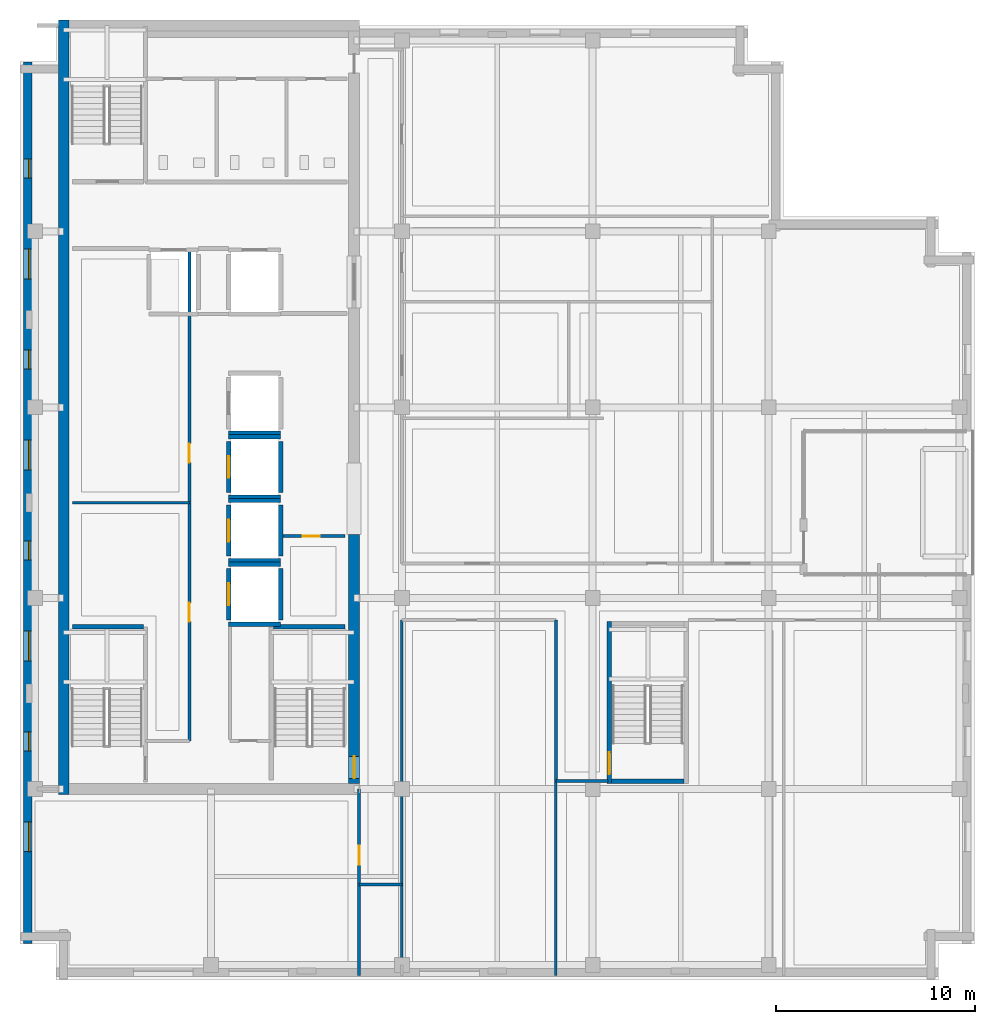
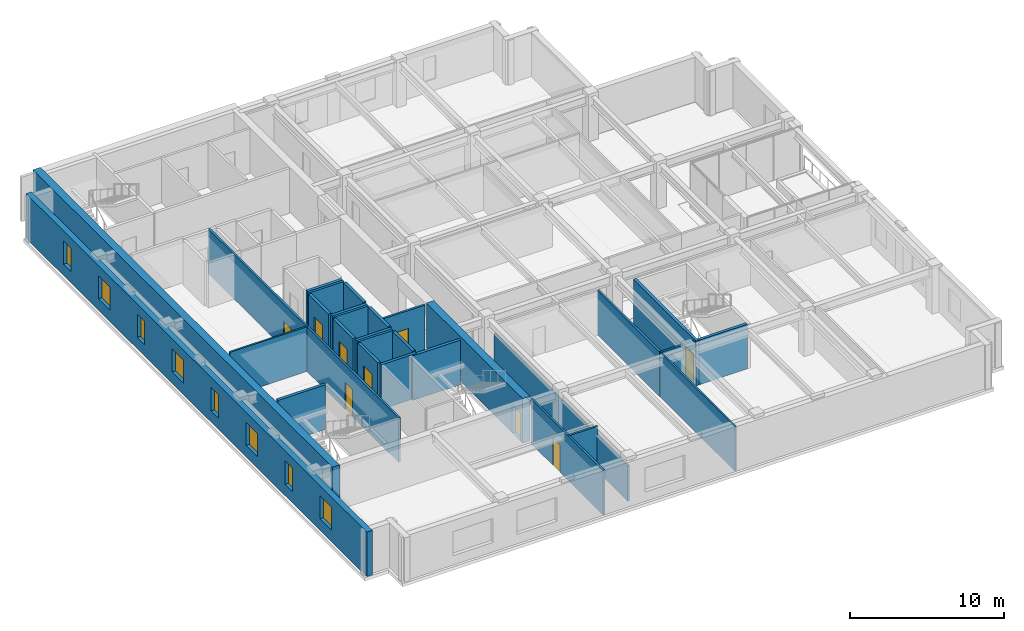
# One storey, part 3 of 13: 29 walls, 9 doors, 8 windows, 17 openings.
"""IFC4 building model written with IfcOpenShell, lengths in metres."""

import ifcopenshell
import ifcopenshell.guid

model = None  # the IFC model being written
_history = None  # IfcOwnerHistory: only IFC2X3 demands one
_inside = {}  # id of a spatial element -> (the spatial element, [elements in it])
_under = {}  # id of a project, library or spatial element -> (it, [spatial elements below it])
_declared = {}  # id of a project -> (the project, [libraries it declares])
_typed = {}  # id of a type object -> (the type object, [elements of that type])
_made_of = {}  # id of a material, layer set ... -> (it, [elements and type objects made of it])


def new_model(schema):
    """Start an empty IFC model of exactly this schema.

    Asked for "IFC4X3", IfcOpenShell would pick the latest addendum, in which some entities
    have other attributes; the version numbers below select the first issue.
    IFC2X3 requires an IfcOwnerHistory on every rooted entity: one is made here for all.
    """
    global model, _history
    if schema == "IFC4X3":
        model = ifcopenshell.file(schema_version=(4, 3, 0, 0))
    else:
        model = ifcopenshell.file(schema=schema)
    _inside.clear()
    _under.clear()
    _declared.clear()
    _typed.clear()
    _made_of.clear()
    _history = None
    if model.schema == "IFC2X3":
        org = make("IfcOrganization", Name="unknown")
        user = make(
            "IfcPersonAndOrganization",
            ThePerson=make("IfcPerson", FamilyName="unknown"),
            TheOrganization=org,
        )
        app = make(
            "IfcApplication",
            ApplicationDeveloper=org,
            Version="unknown",
            ApplicationFullName="unknown",
            ApplicationIdentifier="unknown",
        )
        _history = make(
            "IfcOwnerHistory",
            OwningUser=user,
            OwningApplication=app,
            ChangeAction="ADDED",
            CreationDate=0,
        )
    return model


def make(cls, **values):
    """One entity of the class cls with the attributes given. An attribute that is None is left unset."""
    return model.create_entity(
        cls, **{name: value for name, value in values.items() if value is not None}
    )


def rooted(cls, **values):
    """An entity with a GlobalId (a new one), such as an element, a storey or a relation."""
    return make(cls, GlobalId=ifcopenshell.guid.new(), OwnerHistory=_history, **values)


def si_unit(unit_type, name, prefix=None):
    """IfcSIUnit, for example si_unit("LENGTHUNIT", "METRE", prefix="MILLI")."""
    return make("IfcSIUnit", UnitType=unit_type, Prefix=prefix, Name=name)


def assignment(units):
    """IfcUnitAssignment: the units of a project."""
    return None if units is None else make("IfcUnitAssignment", Units=units)


def point(xyz):
    """IfcCartesianPoint."""
    return None if xyz is None else make("IfcCartesianPoint", Coordinates=xyz)


def direction(xyz):
    """IfcDirection."""
    return None if xyz is None else make("IfcDirection", DirectionRatios=xyz)


def frame(location, z_axis=None, x_axis=None):
    """IfcAxis2Placement3D, a coordinate frame: its origin and axes. An axis left out is left unset."""
    return make(
        "IfcAxis2Placement3D",
        Location=point(location),
        Axis=direction(z_axis),
        RefDirection=direction(x_axis),
    )


def frame_2d(location, x_axis=None):
    """IfcAxis2Placement2D, a coordinate frame in the plane: its origin and x axis."""
    return make(
        "IfcAxis2Placement2D", Location=point(location), RefDirection=direction(x_axis)
    )


def origin():
    """The frame at (0, 0, 0) with its axes left unset."""
    return frame((0.0, 0.0, 0.0))


def place(relative_to, where):
    """IfcLocalPlacement: puts the frame where relative to a parent placement (None: the world)."""
    return make(
        "IfcLocalPlacement", PlacementRelTo=relative_to, RelativePlacement=where
    )


def context(
    kind, dimensions, precision=None, world=None, true_north=None, identifier=None
):
    """IfcGeometricRepresentationContext, for example the 3D "Model" context."""
    return make(
        "IfcGeometricRepresentationContext",
        ContextIdentifier=identifier,
        ContextType=kind,
        CoordinateSpaceDimension=dimensions,
        Precision=precision,
        WorldCoordinateSystem=world,
        TrueNorth=true_north,
    )


def subcontext(parent, identifier, kind, view, scale=None):
    """IfcGeometricRepresentationSubContext, for example "Body" below "Model"."""
    return make(
        "IfcGeometricRepresentationSubContext",
        ContextIdentifier=identifier,
        ContextType=kind,
        ParentContext=parent,
        TargetScale=scale,
        TargetView=view,
    )


def project(units=None, contexts=None):
    """IfcProject with its units and contexts."""
    return rooted(
        "IfcProject",
        Name="project",
        RepresentationContexts=contexts,
        UnitsInContext=assignment(units),
    )


def spatial(cls, under=None, at=None, **own):
    """A site, building, storey or space (cls), placed at a placement, below another one or the project."""
    s = rooted(cls, ObjectPlacement=at, **own)
    if under is not None:
        _under.setdefault(under.id(), (under, []))[1].append(s)
    return s


def profile(cls, at=None, kind="AREA", **sizes):
    """A parametric profile (cls). Its sizes go by their IFC names, for example OverallWidth=200.0."""
    return make(cls, ProfileType=kind, Position=at, **sizes)


def rectangle(**sizes):
    """IfcRectangleProfileDef."""
    return profile("IfcRectangleProfileDef", **sizes)


def extrude(swept, where, along, depth):
    """IfcExtrudedAreaSolid: the profile swept, set in the frame where, extruded along a direction by depth."""
    return make(
        "IfcExtrudedAreaSolid",
        SweptArea=swept,
        Position=where,
        ExtrudedDirection=direction(along),
        Depth=depth,
    )


def shape(context_of_items, identifier, shape_type, items):
    """IfcShapeRepresentation: the items that make up one representation, for example the "Body"."""
    return make(
        "IfcShapeRepresentation",
        ContextOfItems=context_of_items,
        RepresentationIdentifier=identifier,
        RepresentationType=shape_type,
        Items=items,
    )


def material(Name=None, Category=None):
    """IfcMaterial."""
    return make("IfcMaterial", Name=Name, Category=Category)


def layer(
    of_material, thickness, ventilated=None, Name=None, Category=None, Priority=None
):
    """IfcMaterialLayer: one layer of a wall or slab, of a material (None: an air gap)."""
    return make(
        "IfcMaterialLayer",
        Material=of_material,
        LayerThickness=thickness,
        IsVentilated=ventilated,
        Name=Name,
        Category=Category,
        Priority=Priority,
    )


def layer_set(layers, Name=None):
    """IfcMaterialLayerSet."""
    return make("IfcMaterialLayerSet", MaterialLayers=layers, LayerSetName=Name)


def made_of(thing, what):
    """Note that an element or type object is made of a material, layer set ...; save() writes the relation."""
    if what is not None:
        _made_of.setdefault(what.id(), (what, []))[1].append(thing)
    return thing


def type_object(cls, material=None, **own):
    """A type object (cls), such as IfcWallType, which elements share."""
    return made_of(rooted(cls, **own), material)


def element(
    cls,
    number,
    at=None,
    inside=None,
    cuts=None,
    type_object=None,
    material=None,
    context=None,
    identifier="Body",
    shape_type=None,
    held_by="IfcProductDefinitionShape",
    body=None,
    shapes=None,
    **own,
):
    """One element of the class cls, such as IfcWall. Its Tag is "e" and its number.

    at: its placement. inside: the storey or other place that contains it. cuts: it is an
    opening in that element (IfcRelVoidsElement). A single representation is given by context,
    identifier, shape_type and body (its items); several are given by shapes. held_by: the class
    of the entity that holds the representations. save() writes the other relations.
    """
    e = rooted(cls, Tag="e%d" % number, ObjectPlacement=at, **own)
    if body is not None:
        shapes = [shape(context, identifier, shape_type, body)]
    if shapes is not None:
        e.Representation = make(held_by, Representations=shapes)
    if inside is not None:
        _inside.setdefault(inside.id(), (inside, []))[1].append(e)
    if cuts is not None:
        rooted(
            "IfcRelVoidsElement", RelatingBuildingElement=cuts, RelatedOpeningElement=e
        )
    if type_object is not None:
        _typed.setdefault(type_object.id(), (type_object, []))[1].append(e)
    return made_of(e, material)


def fill(opening, filler):
    """IfcRelFillsElement: the door or window that sits in an opening."""
    return rooted(
        "IfcRelFillsElement",
        RelatingOpeningElement=opening,
        RelatedBuildingElement=filler,
    )


def aggregate(whole, parts):
    """IfcRelAggregates: a whole, such as a stair, and the parts it consists of."""
    return rooted("IfcRelAggregates", RelatingObject=whole, RelatedObjects=parts)


def save(model, path):
    """Write the relations noted so far, then the file.

    IfcRelAggregates (storeys below a building ...), IfcRelContainedInSpatialStructure (elements
    in a storey), IfcRelDefinesByType, IfcRelAssociatesMaterial and IfcRelDeclares: one each for
    every whole, place, type object, material and project.
    """
    for whole, parts in _under.values():
        aggregate(whole, parts)
    for where, things in _inside.values():
        rooted(
            "IfcRelContainedInSpatialStructure",
            RelatedElements=things,
            RelatingStructure=where,
        )
    for kind, things in _typed.values():
        rooted("IfcRelDefinesByType", RelatedObjects=things, RelatingType=kind)
    for what, things in _made_of.values():
        rooted("IfcRelAssociatesMaterial", RelatedObjects=things, RelatingMaterial=what)
    for by, libraries in _declared.values():
        rooted("IfcRelDeclares", RelatingContext=by, RelatedDefinitions=libraries)
    model.write(path)


model = new_model("IFC4")

# Units and contexts
model_context = context("Model", 3, precision=1e-05, world=origin(), true_north=direction((0.0, 1.0)))
body_context = subcontext(model_context, "Body", "Model", "MODEL_VIEW")
ifc_project = project(units=[si_unit("LENGTHUNIT", "METRE"), si_unit("AREAUNIT", "SQUARE_METRE"), si_unit("VOLUMEUNIT", "CUBIC_METRE"), si_unit("PLANEANGLEUNIT", "RADIAN"), si_unit("MASSUNIT", "GRAM", prefix="KILO")], contexts=[model_context])

# Site, building, storey
site_placement = place(None, origin())
site = spatial("IfcSite", under=ifc_project, at=site_placement, CompositionType="ELEMENT")
building_placement = place(site_placement, origin())
building = spatial("IfcBuilding", under=site, at=building_placement, Name="Norrvale University Quadrangle", CompositionType="ELEMENT")
storey_placement = place(building_placement, frame((0.0, 0.0, 277.199951171875)))
storey = spatial("IfcBuildingStorey", under=building, at=storey_placement, Name="L70", CompositionType="ELEMENT", Elevation=277.199951171875)

# Wall, openings, windows
ifc_material_1 = material(Name="Buff Norman Clay Brick Masonry", Category="masonry")
ifc_layer_1 = layer(ifc_material_1, 0.419921875, Name="Buff Norman Clay Brick Masonry")
ifc_layer_set_1 = layer_set([ifc_layer_1], Name="Buff Norman Clay Brick Masonry")
wall_type_1 = type_object("IfcWallType", Name="Wall Buff Brick 420", PredefinedType="SOLIDWALL", material=ifc_layer_set_1)
wall_1_placement = place(storey_placement, frame((0.389892578125, 46.159912109375, 0.0), z_axis=(0.0, 0.0, 1.0), x_axis=(0.0, -1.0, 0.0)))
wall_1 = element("IfcWall", 1, at=wall_1_placement, inside=storey, type_object=wall_type_1, Name="Exterior Brick Facade Wall L70-14.1", PredefinedType="SOLIDWALL", context=body_context, shape_type="SweptSolid", body=[
    extrude(rectangle(XDim=44.31982421875, YDim=0.419921875, at=frame_2d((22.159912109375, 0.0))), origin(), (0.0, 0.0, 1.0), 3.5400390625),
])
opening_1_placement = place(wall_1_placement, frame((4.885009765625, 0.0, 0.89990234375)))
opening_1 = element("IfcOpeningElement", 2, at=opening_1_placement, cuts=wall_1, Name="Opening W04", PredefinedType="OPENING", context=body_context, shape_type="SweptSolid", body=[
    extrude(rectangle(XDim=0.949951171875, YDim=1.85009765625, at=frame_2d((0.47509765625, 0.925048828125))), frame((0.0, 0.221923828125, 0.0), z_axis=(0.0, -1.0, 0.0), x_axis=(1.0, 0.0, 0.0)), (0.0, 0.0, 1.0), 0.44384765625),
])
opening_2_placement = place(wall_1_placement, frame((9.409912109375, 0.0, 0.89990234375)))
opening_2 = element("IfcOpeningElement", 3, at=opening_2_placement, cuts=wall_1, Name="Opening W03", PredefinedType="OPENING", context=body_context, shape_type="SweptSolid", body=[
    extrude(rectangle(XDim=1.5, YDim=1.85009765625, at=frame_2d((0.75, 0.925048828125))), frame((0.0, 0.221923828125, 0.0), z_axis=(0.0, -1.0, 0.0), x_axis=(1.0, 0.0, 0.0)), (0.0, 0.0, 1.0), 0.44384765625),
])
opening_3_placement = place(wall_1_placement, frame((14.485107421875, 0.0, 0.89990234375)))
opening_3 = element("IfcOpeningElement", 4, at=opening_3_placement, cuts=wall_1, Name="Opening W04", PredefinedType="OPENING", context=body_context, shape_type="SweptSolid", body=[
    extrude(rectangle(XDim=0.949951171875, YDim=1.85009765625, at=frame_2d((0.47509765625, 0.925048828125))), frame((0.0, 0.221923828125, 0.0), z_axis=(0.0, -1.0, 0.0), x_axis=(1.0, 0.0, 0.0)), (0.0, 0.0, 1.0), 0.44384765625),
])
opening_4_placement = place(wall_1_placement, frame((19.010009765625, 0.0, 0.89990234375)))
opening_4 = element("IfcOpeningElement", 5, at=opening_4_placement, cuts=wall_1, Name="Opening W03", PredefinedType="OPENING", context=body_context, shape_type="SweptSolid", body=[
    extrude(rectangle(XDim=1.5, YDim=1.85009765625, at=frame_2d((0.75, 0.925048828125))), frame((0.0, 0.221923828125, 0.0), z_axis=(0.0, -1.0, 0.0), x_axis=(1.0, 0.0, 0.0)), (0.0, 0.0, 1.0), 0.44384765625),
])
opening_5_placement = place(wall_1_placement, frame((24.0849609375, 0.0, 0.89990234375)))
opening_5 = element("IfcOpeningElement", 6, at=opening_5_placement, cuts=wall_1, Name="Opening W04", PredefinedType="OPENING", context=body_context, shape_type="SweptSolid", body=[
    extrude(rectangle(XDim=0.949951171875, YDim=1.85009765625, at=frame_2d((0.47509765625, 0.925048828125))), frame((0.0, 0.221923828125, 0.0), z_axis=(0.0, -1.0, 0.0), x_axis=(1.0, 0.0, 0.0)), (0.0, 0.0, 1.0), 0.44384765625),
])
opening_6_placement = place(wall_1_placement, frame((28.610107421875, 0.0, 0.89990234375)))
opening_6 = element("IfcOpeningElement", 7, at=opening_6_placement, cuts=wall_1, Name="Opening W03", PredefinedType="OPENING", context=body_context, shape_type="SweptSolid", body=[
    extrude(rectangle(XDim=1.5, YDim=1.85009765625, at=frame_2d((0.75, 0.925048828125))), frame((0.0, 0.221923828125, 0.0), z_axis=(0.0, -1.0, 0.0), x_axis=(1.0, 0.0, 0.0)), (0.0, 0.0, 1.0), 0.44384765625),
])
opening_7_placement = place(wall_1_placement, frame((33.68505859375, 0.0, 0.89990234375)))
opening_7 = element("IfcOpeningElement", 8, at=opening_7_placement, cuts=wall_1, Name="Opening W04", PredefinedType="OPENING", context=body_context, shape_type="SweptSolid", body=[
    extrude(rectangle(XDim=0.949951171875, YDim=1.85009765625, at=frame_2d((0.47509765625, 0.925048828125))), frame((0.0, 0.221923828125, 0.0), z_axis=(0.0, -1.0, 0.0), x_axis=(1.0, 0.0, 0.0)), (0.0, 0.0, 1.0), 0.44384765625),
])
opening_8_placement = place(wall_1_placement, frame((38.2099609375, 0.0, 0.89990234375)))
opening_8 = element("IfcOpeningElement", 9, at=opening_8_placement, cuts=wall_1, Name="Opening W03", PredefinedType="OPENING", context=body_context, shape_type="SweptSolid", body=[
    extrude(rectangle(XDim=1.5, YDim=1.85009765625, at=frame_2d((0.75, 0.925048828125))), frame((0.0, 0.221923828125, 0.0), z_axis=(0.0, -1.0, 0.0), x_axis=(1.0, 0.0, 0.0)), (0.0, 0.0, 1.0), 0.44384765625),
])
ifc_material_2 = material(Name="Triple Low-E Argon Glazing", Category="glass")
window_type_1 = type_object("IfcWindowType", Name="Window Narrow Pier 950x2300", PartitioningType="SINGLE_PANEL", PredefinedType="WINDOW", material=ifc_material_2)
window_1_placement = place(opening_1_placement, origin())
window_1 = element("IfcWindow", 10, at=window_1_placement, inside=storey, type_object=window_type_1, Name="Window Narrow Pier 950x2300 WIN-L70-E14-1-01", OverallHeight=1.85009765625, OverallWidth=0.949951171875, PartitioningType="SINGLE_PANEL", PredefinedType="WINDOW", context=body_context, shape_type="SweptSolid", body=[
    extrude(rectangle(XDim=0.949951171875, YDim=1.85009765625, at=frame_2d((0.47509765625, 0.925048828125))), frame((0.0, 0.110107421875, 0.0), z_axis=(0.0, -1.0, 0.0), x_axis=(1.0, 0.0, 0.0)), (0.0, 0.0, 1.0), 0.06005859375),
])
fill(opening_1, window_1)
window_2_placement = place(opening_3_placement, origin())
window_2 = element("IfcWindow", 11, at=window_2_placement, inside=storey, type_object=window_type_1, Name="Window Narrow Pier 950x2300 WIN-L70-E14-1-03", OverallHeight=1.85009765625, OverallWidth=0.949951171875, PartitioningType="SINGLE_PANEL", PredefinedType="WINDOW", context=body_context, shape_type="SweptSolid", body=[
    extrude(rectangle(XDim=0.949951171875, YDim=1.85009765625, at=frame_2d((0.47509765625, 0.925048828125))), frame((0.0, 0.110107421875, 0.0), z_axis=(0.0, -1.0, 0.0), x_axis=(1.0, 0.0, 0.0)), (0.0, 0.0, 1.0), 0.06005859375),
])
fill(opening_3, window_2)
window_3_placement = place(opening_5_placement, origin())
window_3 = element("IfcWindow", 12, at=window_3_placement, inside=storey, type_object=window_type_1, Name="Window Narrow Pier 950x2300 WIN-L70-E14-1-05", OverallHeight=1.85009765625, OverallWidth=0.949951171875, PartitioningType="SINGLE_PANEL", PredefinedType="WINDOW", context=body_context, shape_type="SweptSolid", body=[
    extrude(rectangle(XDim=0.949951171875, YDim=1.85009765625, at=frame_2d((0.47509765625, 0.925048828125))), frame((0.0, 0.110107421875, 0.0), z_axis=(0.0, -1.0, 0.0), x_axis=(1.0, 0.0, 0.0)), (0.0, 0.0, 1.0), 0.06005859375),
])
fill(opening_5, window_3)
window_4_placement = place(opening_7_placement, origin())
window_4 = element("IfcWindow", 13, at=window_4_placement, inside=storey, type_object=window_type_1, Name="Window Narrow Pier 950x2300 WIN-L70-E14-1-07", OverallHeight=1.85009765625, OverallWidth=0.949951171875, PartitioningType="SINGLE_PANEL", PredefinedType="WINDOW", context=body_context, shape_type="SweptSolid", body=[
    extrude(rectangle(XDim=0.949951171875, YDim=1.85009765625, at=frame_2d((0.47509765625, 0.925048828125))), frame((0.0, 0.110107421875, 0.0), z_axis=(0.0, -1.0, 0.0), x_axis=(1.0, 0.0, 0.0)), (0.0, 0.0, 1.0), 0.06005859375),
])
fill(opening_7, window_4)
window_type_2 = type_object("IfcWindowType", Name="Window Studio 1500x2300", PartitioningType="DOUBLE_PANEL_VERTICAL", PredefinedType="WINDOW", material=ifc_material_2)
window_5_placement = place(opening_2_placement, origin())
window_5 = element("IfcWindow", 14, at=window_5_placement, inside=storey, type_object=window_type_2, Name="Window Studio 1500x2300 WIN-L70-E14-1-02", OverallHeight=1.85009765625, OverallWidth=1.5, PartitioningType="DOUBLE_PANEL_VERTICAL", PredefinedType="WINDOW", context=body_context, shape_type="SweptSolid", body=[
    extrude(rectangle(XDim=1.5, YDim=1.85009765625, at=frame_2d((0.75, 0.925048828125))), frame((0.0, 0.110107421875, 0.0), z_axis=(0.0, -1.0, 0.0), x_axis=(1.0, 0.0, 0.0)), (0.0, 0.0, 1.0), 0.06005859375),
])
fill(opening_2, window_5)
window_6_placement = place(opening_4_placement, origin())
window_6 = element("IfcWindow", 15, at=window_6_placement, inside=storey, type_object=window_type_2, Name="Window Studio 1500x2300 WIN-L70-E14-1-04", OverallHeight=1.85009765625, OverallWidth=1.5, PartitioningType="DOUBLE_PANEL_VERTICAL", PredefinedType="WINDOW", context=body_context, shape_type="SweptSolid", body=[
    extrude(rectangle(XDim=1.5, YDim=1.85009765625, at=frame_2d((0.75, 0.925048828125))), frame((0.0, 0.110107421875, 0.0), z_axis=(0.0, -1.0, 0.0), x_axis=(1.0, 0.0, 0.0)), (0.0, 0.0, 1.0), 0.06005859375),
])
fill(opening_4, window_6)
window_7_placement = place(opening_6_placement, origin())
window_7 = element("IfcWindow", 16, at=window_7_placement, inside=storey, type_object=window_type_2, Name="Window Studio 1500x2300 WIN-L70-E14-1-06", OverallHeight=1.85009765625, OverallWidth=1.5, PartitioningType="DOUBLE_PANEL_VERTICAL", PredefinedType="WINDOW", context=body_context, shape_type="SweptSolid", body=[
    extrude(rectangle(XDim=1.5, YDim=1.85009765625, at=frame_2d((0.75, 0.925048828125))), frame((0.0, 0.110107421875, 0.0), z_axis=(0.0, -1.0, 0.0), x_axis=(1.0, 0.0, 0.0)), (0.0, 0.0, 1.0), 0.06005859375),
])
fill(opening_6, window_7)
window_8_placement = place(opening_8_placement, origin())
window_8 = element("IfcWindow", 17, at=window_8_placement, inside=storey, type_object=window_type_2, Name="Window Studio 1500x2300 WIN-L70-E14-1-08", OverallHeight=1.85009765625, OverallWidth=1.5, PartitioningType="DOUBLE_PANEL_VERTICAL", PredefinedType="WINDOW", context=body_context, shape_type="SweptSolid", body=[
    extrude(rectangle(XDim=1.5, YDim=1.85009765625, at=frame_2d((0.75, 0.925048828125))), frame((0.0, 0.110107421875, 0.0), z_axis=(0.0, -1.0, 0.0), x_axis=(1.0, 0.0, 0.0)), (0.0, 0.0, 1.0), 0.06005859375),
])
fill(opening_8, window_8)

# Wall
ifc_material_3 = material(Name="Concrete C60/75", Category="concrete")
ifc_layer_2 = layer(ifc_material_3, 0.550048828125, Name="Concrete C60/75")
ifc_layer_set_2 = layer_set([ifc_layer_2], Name="Concrete C60/75")
wall_type_2 = type_object("IfcWallType", Name="Wall Core 550", PredefinedType="SHEAR", material=ifc_layer_set_2)
wall_2_placement = place(storey_placement, frame((2.199951171875, 9.324951171875, 0.0), z_axis=(0.0, 0.0, 1.0), x_axis=(0.0, 1.0, 0.0)))
element("IfcWall", 18, at=wall_2_placement, inside=storey, type_object=wall_type_2, Name="Tower Core Shear Wall L70-W", PredefinedType="SHEAR", context=body_context, shape_type="SweptSolid", body=[
    extrude(rectangle(XDim=38.949951171875, YDim=0.550048828125, at=frame_2d((19.47509765625, 0.0))), origin(), (0.0, 0.0, 1.0), 3.5400390625),
])

# Wall, opening, door
wall_3_placement = place(storey_placement, frame((16.800048828125, 9.875, 0.0), z_axis=(0.0, 0.0, 1.0), x_axis=(0.0, 1.0, 0.0)))
wall_3 = element("IfcWall", 19, at=wall_3_placement, inside=storey, type_object=wall_type_2, Name="Tower Core Shear Wall L70-E1", PredefinedType="SHEAR", context=body_context, shape_type="SweptSolid", body=[
    extrude(rectangle(XDim=12.52490234375, YDim=0.550048828125, at=frame_2d((6.262451171875, 0.0))), origin(), (0.0, 0.0, 1.0), 3.5400390625),
])
opening_9_placement = place(wall_3_placement, frame((0.264892578125, 0.0, 0.0)))
opening_9 = element("IfcOpeningElement", 20, at=opening_9_placement, cuts=wall_3, Name="Opening D02", PredefinedType="OPENING", context=body_context, shape_type="SweptSolid", body=[
    extrude(rectangle(XDim=1.10009765625, YDim=2.199951171875, at=frame_2d((0.550048828125, 1.10009765625))), frame((0.0, 0.287109375, 0.0), z_axis=(0.0, -1.0, 0.0), x_axis=(1.0, 0.0, 0.0)), (0.0, 0.0, 1.0), 0.573974609375),
])
ifc_material_4 = material(Name="Hollow Steel 350W Fire Door", Category="steel")
door_type_1 = type_object("IfcDoorType", Name="Door Stair Exit 1100x2200", OperationType="NOTDEFINED", PredefinedType="DOOR", material=ifc_material_4)
door_1_placement = place(opening_9_placement, origin())
door_1 = element("IfcDoor", 21, at=door_1_placement, inside=storey, type_object=door_type_1, Name="Door Stair Exit 1100x2200 DR-L70-ST03", OperationType="SINGLE_SWING_LEFT", OverallHeight=2.199951171875, OverallWidth=1.10009765625, PredefinedType="DOOR", context=body_context, shape_type="SweptSolid", body=[
    extrude(rectangle(XDim=1.10009765625, YDim=2.199951171875, at=frame_2d((0.550048828125, 1.10009765625))), frame((0.0, 0.02490234375, 0.0), z_axis=(0.0, -1.0, 0.0), x_axis=(1.0, 0.0, 0.0)), (0.0, 0.0, 1.0), 0.050048828125),
])
fill(opening_9, door_1)

# Walls
ifc_material_5 = material(Name="Standard Academic Gypsum Partition")
ifc_layer_3 = layer(ifc_material_5, 0.125, Name="Standard Academic Gypsum Partition")
ifc_layer_set_3 = layer_set([ifc_layer_3], Name="Standard Academic Gypsum Partition")
wall_type_3 = type_object("IfcWallType", Name="Wall Gypsum Academic 125", PredefinedType="PARTITIONING", material=ifc_layer_set_3)
wall_4_placement = place(storey_placement, frame((2.64990234375, 24.0, 0.0), z_axis=(0.0, 0.0, 1.0), x_axis=(1.0, 0.0, 0.0)))
element("IfcWall", 22, at=wall_4_placement, inside=storey, type_object=wall_type_3, Name="Interior Partition WL-L70-REC-M", PredefinedType="PARTITIONING", context=body_context, shape_type="SweptSolid", body=[
    extrude(rectangle(XDim=5.8701171875, YDim=0.125, at=frame_2d((2.93505859375, 0.0))), origin(), (0.0, 0.0, 1.0), 3.5400390625),
])
wall_5_placement = place(storey_placement, frame((19.199951171875, 0.75, 0.0), z_axis=(0.0, 0.0, 1.0), x_axis=(0.0, 1.0, 0.0)))
element("IfcWall", 23, at=wall_5_placement, inside=storey, type_object=wall_type_3, Name="Interior Partition WL-L70-SE-W0-B2", PredefinedType="PARTITIONING", context=body_context, shape_type="SweptSolid", body=[
    extrude(rectangle(XDim=17.35009765625, YDim=0.125, at=frame_2d((8.675048828125, 0.0))), origin(), (0.0, 0.0, 1.0), 2.844970703125),
])
wall_6_placement = place(storey_placement, frame((26.949951171875, 0.219970703125, 0.0), z_axis=(0.0, 0.0, 1.0), x_axis=(0.0, 1.0, 0.0)))
element("IfcWall", 24, at=wall_6_placement, inside=storey, type_object=wall_type_3, Name="Interior Partition WL-L70-SEP1A", PredefinedType="PARTITIONING", context=body_context, shape_type="SweptSolid", body=[
    extrude(rectangle(XDim=9.780029296875, YDim=0.125, at=frame_2d((4.89013671875, 0.0))), origin(), (0.0, 0.0, 1.0), 3.5400390625),
])

# Wall, opening, door
ifc_material_6 = material(Name="Fire-Rated Gypsum Stud Partition")
ifc_layer_4 = layer(ifc_material_6, 0.14990234375, Name="Fire-Rated Gypsum Stud Partition")
ifc_layer_set_4 = layer_set([ifc_layer_4], Name="Fire-Rated Gypsum Stud Partition")
wall_type_4 = type_object("IfcWallType", Name="Wall Gypsum Corridor 150", PredefinedType="PARTITIONING", material=ifc_layer_set_4)
wall_7_placement = place(storey_placement, frame((13.22509765625, 22.320068359375, 0.0), z_axis=(0.0, 0.0, 1.0), x_axis=(1.0, 0.0, 0.0)))
wall_7 = element("IfcWall", 25, at=wall_7_placement, inside=storey, type_object=wall_type_4, Name="Interior Partition WL-L70-JAN-N", PredefinedType="PARTITIONING", context=body_context, shape_type="SweptSolid", body=[
    extrude(rectangle(XDim=3.119873046875, YDim=0.14990234375, at=frame_2d((1.56005859375, 0.0))), origin(), (0.0, 0.0, 1.0), 3.5400390625),
])
opening_10_placement = place(wall_7_placement, frame((1.0, 0.0, 0.0)))
opening_10 = element("IfcOpeningElement", 26, at=opening_10_placement, cuts=wall_7, Name="Opening D10", PredefinedType="OPENING", context=body_context, shape_type="SweptSolid", body=[
    extrude(rectangle(XDim=0.85009765625, YDim=2.10009765625, at=frame_2d((0.425048828125, 1.050048828125))), frame((0.0, 0.0869140625, 0.0), z_axis=(0.0, -1.0, 0.0), x_axis=(1.0, 0.0, 0.0)), (0.0, 0.0, 1.0), 0.173828125),
])
ifc_material_7 = material(Name="Hollow Steel 350W Riser Fire Door", Category="steel")
door_type_2 = type_object("IfcDoorType", Name="Door Riser 850x2100", OperationType="NOTDEFINED", PredefinedType="DOOR", material=ifc_material_7)
door_2_placement = place(opening_10_placement, origin())
door_2 = element("IfcDoor", 27, at=door_2_placement, inside=storey, type_object=door_type_2, Name="Door Riser 850x2100 DR-L70-JAN", OperationType="SINGLE_SWING_LEFT", OverallHeight=2.10009765625, OverallWidth=0.85009765625, PredefinedType="DOOR", context=body_context, shape_type="SweptSolid", body=[
    extrude(rectangle(XDim=0.85009765625, YDim=2.10009765625, at=frame_2d((0.425048828125, 1.050048828125))), frame((0.0, 0.02490234375, 0.0), z_axis=(0.0, -1.0, 0.0), x_axis=(1.0, 0.0, 0.0)), (0.0, 0.0, 1.0), 0.050048828125),
])
fill(opening_10, door_2)

# Wall, openings, doors
wall_8_placement = place(storey_placement, frame((8.52001953125, 12.02001953125, 0.0), z_axis=(0.0, 0.0, 1.0), x_axis=(0.0, 1.0, 0.0)))
wall_8 = element("IfcWall", 28, at=wall_8_placement, inside=storey, type_object=wall_type_4, Name="Interior Partition WL-L70-REC-E", PredefinedType="PARTITIONING", context=body_context, shape_type="SweptSolid", body=[
    extrude(rectangle(XDim=24.760009765625, YDim=0.14990234375, at=frame_2d((12.3798828125, 0.0))), origin(), (0.0, 0.0, 1.0), 3.5400390625),
])
opening_11_placement = place(wall_8_placement, frame((6.0, 0.0, 0.0)))
opening_11 = element("IfcOpeningElement", 29, at=opening_11_placement, cuts=wall_8, Name="Opening D07", PredefinedType="OPENING", context=body_context, shape_type="SweptSolid", body=[
    extrude(rectangle(XDim=0.949951171875, YDim=2.14990234375, at=frame_2d((0.47509765625, 1.074951171875))), frame((0.0, 0.0869140625, 0.0), z_axis=(0.0, -1.0, 0.0), x_axis=(1.0, 0.0, 0.0)), (0.0, 0.0, 1.0), 0.173828125),
])
opening_12_placement = place(wall_8_placement, frame((14.0, 0.0, 0.0)))
opening_12 = element("IfcOpeningElement", 30, at=opening_12_placement, cuts=wall_8, Name="Opening D07", PredefinedType="OPENING", context=body_context, shape_type="SweptSolid", body=[
    extrude(rectangle(XDim=0.949951171875, YDim=2.14990234375, at=frame_2d((0.47509765625, 1.074951171875))), frame((0.0, 0.0869140625, 0.0), z_axis=(0.0, -1.0, 0.0), x_axis=(1.0, 0.0, 0.0)), (0.0, 0.0, 1.0), 0.173828125),
])
ifc_material_8 = material(Name="Solid-Core Maple Door", Category="wood")
door_type_3 = type_object("IfcDoorType", Name="Door Office 950x2150", OperationType="NOTDEFINED", PredefinedType="DOOR", material=ifc_material_8)
door_3_placement = place(opening_11_placement, origin())
door_3 = element("IfcDoor", 31, at=door_3_placement, inside=storey, type_object=door_type_3, Name="Door Office 950x2150 DR-L70-REC1", OperationType="SINGLE_SWING_LEFT", OverallHeight=2.14990234375, OverallWidth=0.949951171875, PredefinedType="DOOR", context=body_context, shape_type="SweptSolid", body=[
    extrude(rectangle(XDim=0.949951171875, YDim=2.14990234375, at=frame_2d((0.47509765625, 1.074951171875))), frame((0.0, 0.02490234375, 0.0), z_axis=(0.0, -1.0, 0.0), x_axis=(1.0, 0.0, 0.0)), (0.0, 0.0, 1.0), 0.050048828125),
])
fill(opening_11, door_3)
door_4_placement = place(opening_12_placement, origin())
door_4 = element("IfcDoor", 32, at=door_4_placement, inside=storey, type_object=door_type_3, Name="Door Office 950x2150 DR-L70-REC2", OperationType="SINGLE_SWING_RIGHT", OverallHeight=2.14990234375, OverallWidth=0.949951171875, PredefinedType="DOOR", context=body_context, shape_type="SweptSolid", body=[
    extrude(rectangle(XDim=0.949951171875, YDim=2.14990234375, at=frame_2d((0.47509765625, 1.074951171875))), frame((0.0, 0.02490234375, 0.0), z_axis=(0.0, -1.0, 0.0), x_axis=(1.0, 0.0, 0.0)), (0.0, 0.0, 1.0), 0.050048828125),
])
fill(opening_12, door_4)

# Wall
wall_9_placement = place(storey_placement, frame((17.050048828125, 4.800048828125, 0.0), z_axis=(0.0, 0.0, 1.0), x_axis=(1.0, 0.0, 0.0)))
element("IfcWall", 33, at=wall_9_placement, inside=storey, type_object=wall_type_4, Name="Interior Partition WL-L70-CSP-S", PredefinedType="PARTITIONING", context=body_context, shape_type="SweptSolid", body=[
    extrude(rectangle(XDim=2.14990234375, YDim=0.14990234375, at=frame_2d((1.074951171875, 0.0))), origin(), (0.0, 0.0, 1.0), 3.5400390625),
])

# Wall, opening, door
wall_10_placement = place(storey_placement, frame((17.050048828125, 0.219970703125, 0.0), z_axis=(0.0, 0.0, 1.0), x_axis=(0.0, 1.0, 0.0)))
wall_10 = element("IfcWall", 34, at=wall_10_placement, inside=storey, type_object=wall_type_4, Name="Interior Partition WL-L70-SW-E", PredefinedType="PARTITIONING", context=body_context, shape_type="SweptSolid", body=[
    extrude(rectangle(XDim=9.380126953125, YDim=0.14990234375, at=frame_2d((4.68994140625, 0.0))), origin(), (0.0, 0.0, 1.0), 3.5400390625),
])
opening_13_placement = place(wall_10_placement, frame((5.580078125, 0.0, 0.0)))
opening_13 = element("IfcOpeningElement", 35, at=opening_13_placement, cuts=wall_10, Name="Opening D07", PredefinedType="OPENING", context=body_context, shape_type="SweptSolid", body=[
    extrude(rectangle(XDim=0.949951171875, YDim=2.14990234375, at=frame_2d((0.47509765625, 1.074951171875))), frame((0.0, 0.0869140625, 0.0), z_axis=(0.0, -1.0, 0.0), x_axis=(1.0, 0.0, 0.0)), (0.0, 0.0, 1.0), 0.173828125),
])
door_5_placement = place(opening_13_placement, origin())
door_5 = element("IfcDoor", 36, at=door_5_placement, inside=storey, type_object=door_type_3, Name="Door Office 950x2150 DR-L70-SW1", OperationType="SINGLE_SWING_LEFT", OverallHeight=2.14990234375, OverallWidth=0.949951171875, PredefinedType="DOOR", context=body_context, shape_type="SweptSolid", body=[
    extrude(rectangle(XDim=0.949951171875, YDim=2.14990234375, at=frame_2d((0.47509765625, 1.074951171875))), frame((0.0, 0.02490234375, 0.0), z_axis=(0.0, -1.0, 0.0), x_axis=(1.0, 0.0, 0.0)), (0.0, 0.0, 1.0), 0.050048828125),
])
fill(opening_13, door_5)

# Walls
wall_11_placement = place(storey_placement, frame((26.949951171875, 10.0, 0.0), z_axis=(0.0, 0.0, 1.0), x_axis=(0.0, 1.0, 0.0)))
element("IfcWall", 37, at=wall_11_placement, inside=storey, type_object=wall_type_4, Name="Interior Partition WL-L70-SEP1B", PredefinedType="PARTITIONING", context=body_context, shape_type="SweptSolid", body=[
    extrude(rectangle(XDim=8.10009765625, YDim=0.14990234375, at=frame_2d((4.050048828125, 0.0))), origin(), (0.0, 0.0, 1.0), 3.5400390625),
])
wall_12_placement = place(storey_placement, frame((26.949951171875, 10.0, 0.0), z_axis=(0.0, 0.0, 1.0), x_axis=(1.0, 0.0, 0.0)))
element("IfcWall", 38, at=wall_12_placement, inside=storey, type_object=wall_type_4, Name="Interior Partition WL-L70-SEP1C", PredefinedType="PARTITIONING", context=body_context, shape_type="SweptSolid", body=[
    extrude(rectangle(XDim=2.630126953125, YDim=0.14990234375, at=frame_2d((1.31494140625, 0.0))), origin(), (0.0, 0.0, 1.0), 3.5400390625),
])
ifc_material_9 = material(Name="Concrete Blockwork 20 MPa Fire Shaft", Category="masonry")
ifc_layer_5 = layer(ifc_material_9, 0.219970703125, Name="Concrete Blockwork 20 MPa Fire Shaft")
ifc_layer_set_5 = layer_set([ifc_layer_5], Name="Concrete Blockwork 20 MPa Fire Shaft")
wall_type_5 = type_object("IfcWallType", Name="Wall Shaft 220", PredefinedType="SOLIDWALL", material=ifc_layer_set_5)
wall_13_placement = place(storey_placement, frame((2.64990234375, 17.760009765625, 0.0), z_axis=(0.0, 0.0, 1.0), x_axis=(1.0, 0.0, 0.0)))
element("IfcWall", 39, at=wall_13_placement, inside=storey, type_object=wall_type_5, Name="Stair ST-01 North Shaft Wall L70", PredefinedType="SOLIDWALL", context=body_context, shape_type="SweptSolid", body=[
    extrude(rectangle(XDim=3.550048828125, YDim=0.219970703125, at=frame_2d((1.77490234375, 0.0))), origin(), (0.0, 0.0, 1.0), 3.5400390625),
])
wall_14_placement = place(storey_placement, frame((12.75, 17.760009765625, 0.0), z_axis=(0.0, 0.0, 1.0), x_axis=(1.0, 0.0, 0.0)))
element("IfcWall", 40, at=wall_14_placement, inside=storey, type_object=wall_type_5, Name="Stair ST-03 North Shaft Wall L70", PredefinedType="SOLIDWALL", context=body_context, shape_type="SweptSolid", body=[
    extrude(rectangle(XDim=3.60009765625, YDim=0.219970703125, at=frame_2d((1.800048828125, 0.0))), origin(), (0.0, 0.0, 1.0), 3.5400390625),
])
wall_15_placement = place(storey_placement, frame((29.75, 9.989990234375, 0.0), z_axis=(0.0, 0.0, 1.0), x_axis=(1.0, 0.0, 0.0)))
element("IfcWall", 41, at=wall_15_placement, inside=storey, type_object=wall_type_5, Name="Stair ST-04 South Shaft Wall L70", PredefinedType="SOLIDWALL", context=body_context, shape_type="SweptSolid", body=[
    extrude(rectangle(XDim=3.64990234375, YDim=0.219970703125, at=frame_2d((1.824951171875, 0.0))), origin(), (0.0, 0.0, 1.0), 3.5400390625),
])

# Wall, opening, door
wall_16_placement = place(storey_placement, frame((29.639892578125, 9.8798828125, 0.0), z_axis=(0.0, 0.0, 1.0), x_axis=(0.0, 1.0, 0.0)))
wall_16 = element("IfcWall", 42, at=wall_16_placement, inside=storey, type_object=wall_type_5, Name="Stair ST-04 West Shaft Wall L70", PredefinedType="SOLIDWALL", context=body_context, shape_type="SweptSolid", body=[
    extrude(rectangle(XDim=8.14013671875, YDim=0.219970703125, at=frame_2d((4.070068359375, 0.0))), origin(), (0.0, 0.0, 1.0), 3.5400390625),
])
opening_14_placement = place(wall_16_placement, frame((0.469970703125, 0.0, 0.0)))
opening_14 = element("IfcOpeningElement", 43, at=opening_14_placement, cuts=wall_16, Name="Opening D02", PredefinedType="OPENING", context=body_context, shape_type="SweptSolid", body=[
    extrude(rectangle(XDim=1.10009765625, YDim=2.199951171875, at=frame_2d((0.550048828125, 1.10009765625))), frame((0.0, 0.1220703125, 0.0), z_axis=(0.0, -1.0, 0.0), x_axis=(1.0, 0.0, 0.0)), (0.0, 0.0, 1.0), 0.243896484375),
])
door_6_placement = place(opening_14_placement, frame((1.10009765625, 0.0, 0.0), z_axis=(0.0, 0.0, 1.0), x_axis=(-1.0, 0.0, 0.0)))
door_6 = element("IfcDoor", 44, at=door_6_placement, inside=storey, type_object=door_type_1, Name="Door Stair Exit 1100x2200 DR-L70-ST04", OperationType="SINGLE_SWING_RIGHT", OverallHeight=2.199951171875, OverallWidth=1.10009765625, PredefinedType="DOOR", context=body_context, shape_type="SweptSolid", body=[
    extrude(rectangle(XDim=1.10009765625, YDim=2.199951171875, at=frame_2d((0.550048828125, 1.10009765625))), frame((0.0, 0.02490234375, 0.0), z_axis=(0.0, -1.0, 0.0), x_axis=(1.0, 0.0, 0.0)), (0.0, 0.0, 1.0), 0.050048828125),
])
fill(opening_14, door_6)

wall_17_placement = place(storey_placement, frame((10.489990234375, 18.110107421875, 0.0), z_axis=(0.0, 0.0, 1.0), x_axis=(0.0, 1.0, 0.0)))
wall_17 = element("IfcWall", 45, at=wall_17_placement, inside=storey, type_object=wall_type_5, Name="Hoistway PL-05 West Wall L70", PredefinedType="SOLIDWALL", context=body_context, shape_type="SweptSolid", body=[
    extrude(rectangle(XDim=2.579833984375, YDim=0.219970703125, at=frame_2d((1.2900390625, 0.0))), origin(), (0.0, 0.0, 1.0), 3.5400390625),
])
opening_15_placement = place(wall_17_placement, frame((0.739990234375, 0.0, 0.0)))
opening_15 = element("IfcOpeningElement", 46, at=opening_15_placement, cuts=wall_17, Name="Opening LD1", PredefinedType="OPENING", context=body_context, shape_type="SweptSolid", body=[
    extrude(rectangle(XDim=1.10009765625, YDim=2.199951171875, at=frame_2d((0.550048828125, 1.10009765625))), frame((0.0, 0.1220703125, 0.0), z_axis=(0.0, -1.0, 0.0), x_axis=(1.0, 0.0, 0.0)), (0.0, 0.0, 1.0), 0.243896484375),
])
ifc_material_10 = material(Name="Stainless Steel 316L Lift Landing Door", Category="steel")
door_type_4 = type_object("IfcDoorType", Name="Door Lift Landing 1100x2200", OperationType="DOUBLE_DOOR_SLIDING", PredefinedType="DOOR", material=ifc_material_10)
door_7_placement = place(opening_15_placement, origin())
door_7 = element("IfcDoor", 47, at=door_7_placement, inside=storey, type_object=door_type_4, Name="Elevator Landing Door DR-L70-PL-05", OperationType="DOUBLE_DOOR_SLIDING", OverallHeight=2.199951171875, OverallWidth=1.10009765625, PredefinedType="DOOR", context=body_context, shape_type="SweptSolid", body=[
    extrude(rectangle(XDim=1.10009765625, YDim=2.199951171875, at=frame_2d((0.550048828125, 1.10009765625))), frame((0.0, 0.02490234375, 0.0), z_axis=(0.0, -1.0, 0.0), x_axis=(1.0, 0.0, 0.0)), (0.0, 0.0, 1.0), 0.050048828125),
])
fill(opening_15, door_7)

# Walls
wall_18_placement = place(storey_placement, frame((13.110107421875, 18.110107421875, 0.0), z_axis=(0.0, 0.0, 1.0), x_axis=(0.0, 1.0, 0.0)))
element("IfcWall", 48, at=wall_18_placement, inside=storey, type_object=wall_type_5, Name="Hoistway PL-05 East Wall L70", PredefinedType="SOLIDWALL", context=body_context, shape_type="SweptSolid", body=[
    extrude(rectangle(XDim=2.579833984375, YDim=0.219970703125, at=frame_2d((1.2900390625, 0.0))), origin(), (0.0, 0.0, 1.0), 3.5400390625),
])
for number, where, z_axis, x_axis, name in (
    (49, (10.489990234375, 17.889892578125, 0.0), (0.0, 0.0, 1.0), (1.0, 0.0, 0.0), "Hoistway PL-05 South Wall L70"),
    (50, (10.489990234375, 20.909912109375, 0.0), (0.0, 0.0, 1.0), (1.0, 0.0, 0.0), "Hoistway PL-05 North Wall L70"),
):
    element("IfcWall", number, at=place(storey_placement, frame(where, z_axis=z_axis, x_axis=x_axis)), inside=storey, type_object=wall_type_5, Name=name, PredefinedType="SOLIDWALL", context=body_context, shape_type="SweptSolid", body=[
        extrude(rectangle(XDim=2.6201171875, YDim=0.219970703125, at=frame_2d((1.31005859375, 0.0))), origin(), (0.0, 0.0, 1.0), 3.5400390625),
    ])

# Wall, opening, door
wall_19_placement = place(storey_placement, frame((10.489990234375, 21.31005859375, 0.0), z_axis=(0.0, 0.0, 1.0), x_axis=(0.0, 1.0, 0.0)))
wall_19 = element("IfcWall", 51, at=wall_19_placement, inside=storey, type_object=wall_type_5, Name="Hoistway PL-06 West Wall L70", PredefinedType="SOLIDWALL", context=body_context, shape_type="SweptSolid", body=[
    extrude(rectangle(XDim=2.579833984375, YDim=0.219970703125, at=frame_2d((1.2900390625, 0.0))), origin(), (0.0, 0.0, 1.0), 3.5400390625),
])
opening_16_placement = place(wall_19_placement, frame((0.739990234375, 0.0, 0.0)))
opening_16 = element("IfcOpeningElement", 52, at=opening_16_placement, cuts=wall_19, Name="Opening LD1", PredefinedType="OPENING", context=body_context, shape_type="SweptSolid", body=[
    extrude(rectangle(XDim=1.10009765625, YDim=2.199951171875, at=frame_2d((0.550048828125, 1.10009765625))), frame((0.0, 0.1220703125, 0.0), z_axis=(0.0, -1.0, 0.0), x_axis=(1.0, 0.0, 0.0)), (0.0, 0.0, 1.0), 0.243896484375),
])
door_8_placement = place(opening_16_placement, origin())
door_8 = element("IfcDoor", 53, at=door_8_placement, inside=storey, type_object=door_type_4, Name="Elevator Landing Door DR-L70-PL-06", OperationType="DOUBLE_DOOR_SLIDING", OverallHeight=2.199951171875, OverallWidth=1.10009765625, PredefinedType="DOOR", context=body_context, shape_type="SweptSolid", body=[
    extrude(rectangle(XDim=1.10009765625, YDim=2.199951171875, at=frame_2d((0.550048828125, 1.10009765625))), frame((0.0, 0.02490234375, 0.0), z_axis=(0.0, -1.0, 0.0), x_axis=(1.0, 0.0, 0.0)), (0.0, 0.0, 1.0), 0.050048828125),
])
fill(opening_16, door_8)

# Walls
wall_20_placement = place(storey_placement, frame((13.110107421875, 21.31005859375, 0.0), z_axis=(0.0, 0.0, 1.0), x_axis=(0.0, 1.0, 0.0)))
element("IfcWall", 54, at=wall_20_placement, inside=storey, type_object=wall_type_5, Name="Hoistway PL-06 East Wall L70", PredefinedType="SOLIDWALL", context=body_context, shape_type="SweptSolid", body=[
    extrude(rectangle(XDim=2.579833984375, YDim=0.219970703125, at=frame_2d((1.2900390625, 0.0))), origin(), (0.0, 0.0, 1.0), 3.5400390625),
])
for number, where, z_axis, x_axis, name in (
    (55, (10.489990234375, 21.090087890625, 0.0), (0.0, 0.0, 1.0), (1.0, 0.0, 0.0), "Hoistway PL-06 South Wall L70"),
    (56, (10.489990234375, 24.110107421875, 0.0), (0.0, 0.0, 1.0), (1.0, 0.0, 0.0), "Hoistway PL-06 North Wall L70"),
):
    element("IfcWall", number, at=place(storey_placement, frame(where, z_axis=z_axis, x_axis=x_axis)), inside=storey, type_object=wall_type_5, Name=name, PredefinedType="SOLIDWALL", context=body_context, shape_type="SweptSolid", body=[
        extrude(rectangle(XDim=2.6201171875, YDim=0.219970703125, at=frame_2d((1.31005859375, 0.0))), origin(), (0.0, 0.0, 1.0), 3.5400390625),
    ])

# Wall, opening, door
wall_21_placement = place(storey_placement, frame((10.489990234375, 24.510009765625, 0.0), z_axis=(0.0, 0.0, 1.0), x_axis=(0.0, 1.0, 0.0)))
wall_21 = element("IfcWall", 57, at=wall_21_placement, inside=storey, type_object=wall_type_5, Name="Hoistway PL-07 West Wall L70", PredefinedType="SOLIDWALL", context=body_context, shape_type="SweptSolid", body=[
    extrude(rectangle(XDim=2.580078125, YDim=0.219970703125, at=frame_2d((1.2900390625, 0.0))), origin(), (0.0, 0.0, 1.0), 3.5400390625),
])
opening_17_placement = place(wall_21_placement, frame((0.739990234375, 0.0, 0.0)))
opening_17 = element("IfcOpeningElement", 58, at=opening_17_placement, cuts=wall_21, Name="Opening LD1", PredefinedType="OPENING", context=body_context, shape_type="SweptSolid", body=[
    extrude(rectangle(XDim=1.10009765625, YDim=2.199951171875, at=frame_2d((0.550048828125, 1.10009765625))), frame((0.0, 0.1220703125, 0.0), z_axis=(0.0, -1.0, 0.0), x_axis=(1.0, 0.0, 0.0)), (0.0, 0.0, 1.0), 0.243896484375),
])
door_9_placement = place(opening_17_placement, origin())
door_9 = element("IfcDoor", 59, at=door_9_placement, inside=storey, type_object=door_type_4, Name="Elevator Landing Door DR-L70-PL-07", OperationType="DOUBLE_DOOR_SLIDING", OverallHeight=2.199951171875, OverallWidth=1.10009765625, PredefinedType="DOOR", context=body_context, shape_type="SweptSolid", body=[
    extrude(rectangle(XDim=1.10009765625, YDim=2.199951171875, at=frame_2d((0.550048828125, 1.10009765625))), frame((0.0, 0.02490234375, 0.0), z_axis=(0.0, -1.0, 0.0), x_axis=(1.0, 0.0, 0.0)), (0.0, 0.0, 1.0), 0.050048828125),
])
fill(opening_17, door_9)

# Walls
wall_22_placement = place(storey_placement, frame((13.110107421875, 24.510009765625, 0.0), z_axis=(0.0, 0.0, 1.0), x_axis=(0.0, 1.0, 0.0)))
element("IfcWall", 60, at=wall_22_placement, inside=storey, type_object=wall_type_5, Name="Hoistway PL-07 East Wall L70", PredefinedType="SOLIDWALL", context=body_context, shape_type="SweptSolid", body=[
    extrude(rectangle(XDim=2.580078125, YDim=0.219970703125, at=frame_2d((1.2900390625, 0.0))), origin(), (0.0, 0.0, 1.0), 3.5400390625),
])
for number, where, z_axis, x_axis, name in (
    (61, (10.489990234375, 24.2900390625, 0.0), (0.0, 0.0, 1.0), (1.0, 0.0, 0.0), "Hoistway PL-07 South Wall L70"),
    (62, (10.489990234375, 27.31005859375, 0.0), (0.0, 0.0, 1.0), (1.0, 0.0, 0.0), "Hoistway PL-07 North Wall L70"),
    (63, (10.489990234375, 27.489990234375, 0.0), (0.0, 0.0, 1.0), (1.0, 0.0, 0.0), "Hoistway PL-08 South Wall L70"),
):
    element("IfcWall", number, at=place(storey_placement, frame(where, z_axis=z_axis, x_axis=x_axis)), inside=storey, type_object=wall_type_5, Name=name, PredefinedType="SOLIDWALL", context=body_context, shape_type="SweptSolid", body=[
        extrude(rectangle(XDim=2.6201171875, YDim=0.219970703125, at=frame_2d((1.31005859375, 0.0))), origin(), (0.0, 0.0, 1.0), 3.5400390625),
    ])

save(model, "model.ifc")
